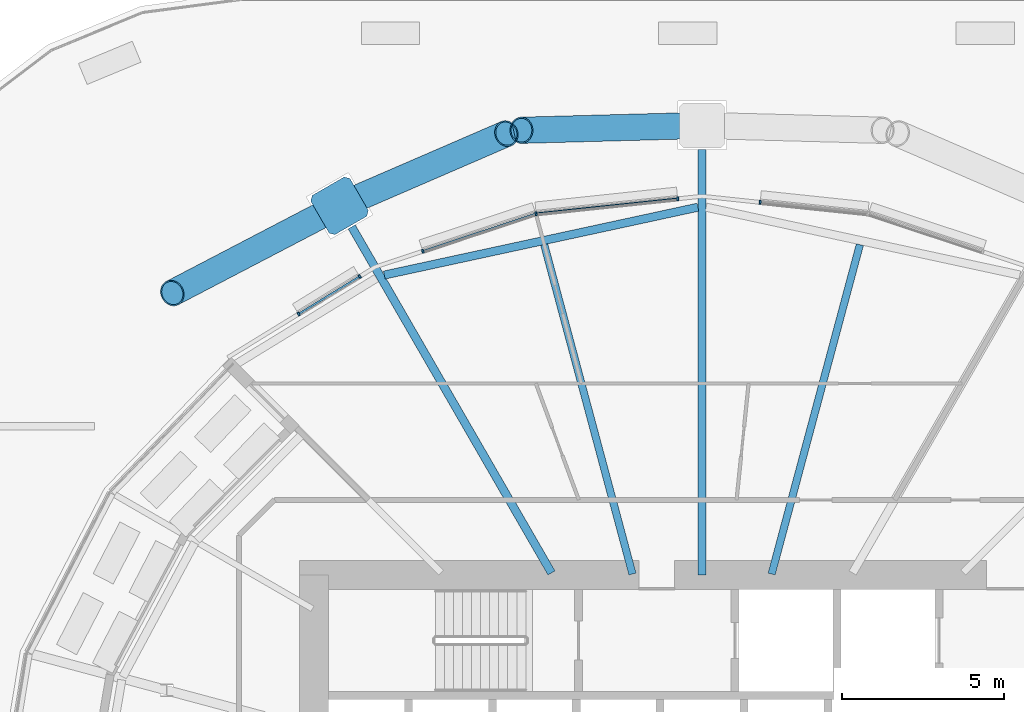
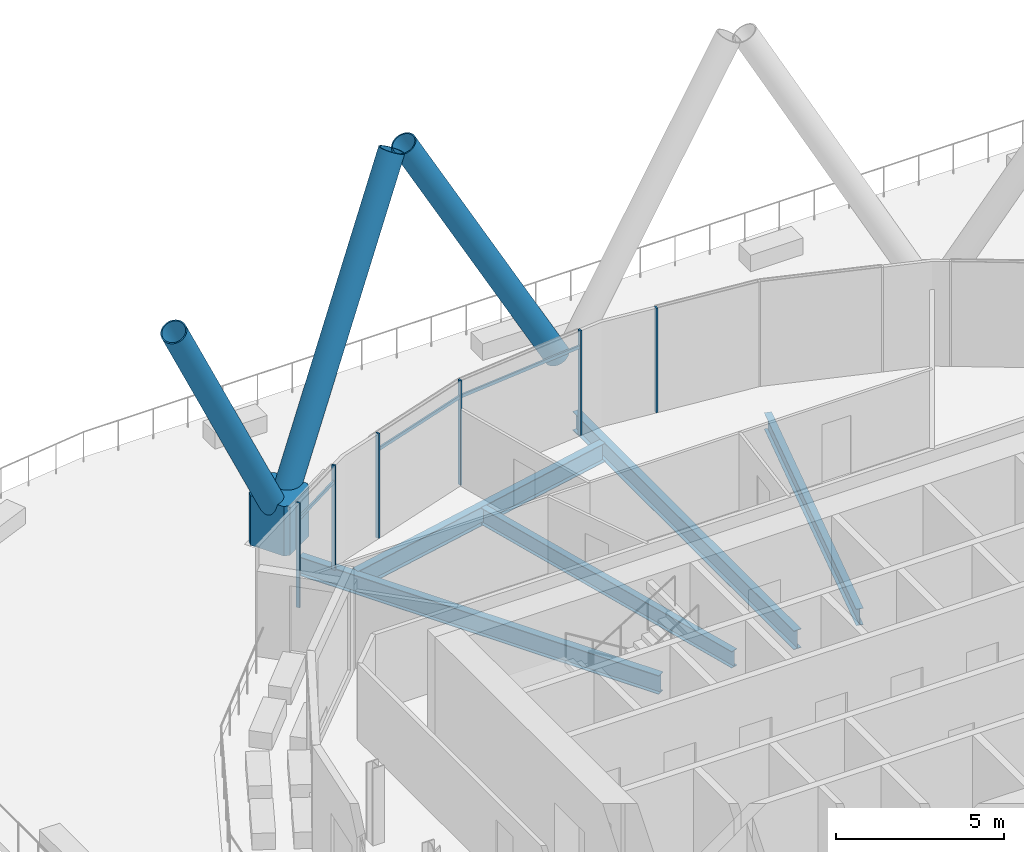
# One storey, part 10 of 47: 13 members, 5 beams, 1 element without a shape of its own.
"""IFC4 building model written with IfcOpenShell, lengths in metres."""

from ifc_helpers import new_model, si_unit, direction, frame, origin, origin_2d, place, context, subcontext, project, spatial, polyline, rectangle, hollow_circle, i_section, outline, extrude, material, material_profile, profile_set, type_object, element, aggregate, save


model = new_model("IFC4")

# Units and contexts
model_context = context("Model", 3, precision=1e-05, world=origin(), true_north=direction((0.0, 1.0)))
body_context = subcontext(model_context, "Body", "Model", "MODEL_VIEW")
ifc_project = project(units=[si_unit("LENGTHUNIT", "METRE"), si_unit("AREAUNIT", "SQUARE_METRE"), si_unit("VOLUMEUNIT", "CUBIC_METRE"), si_unit("PLANEANGLEUNIT", "RADIAN"), si_unit("MASSUNIT", "GRAM", prefix="KILO")], contexts=[model_context])

# Site, building, storey
site_placement = place(None, origin())
site = spatial("IfcSite", under=ifc_project, at=site_placement, CompositionType="ELEMENT")
building_placement = place(site_placement, origin())
building = spatial("IfcBuilding", under=site, at=building_placement, Name="Rimbun Link Towers", CompositionType="ELEMENT")
storey_placement = place(building_placement, frame((0.0, 0.0, 30.0)))
storey = spatial("IfcBuildingStorey", under=building, at=storey_placement, Name="L06", CompositionType="ELEMENT", Elevation=30.0)

# Curtain wall, members
ifc_material_1 = material(Name="Aluminium 6063-T6 and low-iron glass", Category="aluminium")
curtain_wall_type = type_object("IfcCurtainWallType", Name="CW1 unitised vision wall", PredefinedType="NOTDEFINED", material=ifc_material_1)
curtain_wall_placement = place(storey_placement, origin())
curtain_wall = element("IfcCurtainWall", 1, at=curtain_wall_placement, inside=storey, type_object=curtain_wall_type, Name="CW1 L06 T1", PredefinedType="NOTDEFINED")
ifc_material_2 = material(Name="Aluminium 6063-T6", Category="aluminium")
ifc_material_profile_1 = material_profile(ifc_material_2, rectangle(XDim=0.1201171875, YDim=0.06005859375, at=origin_2d()), Name="MULLION 60X120")
ifc_profile_set_1 = profile_set([ifc_material_profile_1], Name="Aluminium 6063-T6")
member_type_1 = type_object("IfcMemberType", Name="CW1 mullion 60X120", PredefinedType="MULLION", material=ifc_profile_set_1)
member_1_placement = place(storey_placement, frame((-29.95361328125, 19.525390625, 0.0), z_axis=(0.0, 0.0, 1.0), x_axis=(0.104754525743, 0.994498109267, 0.0)))
member_1 = element("IfcMember", 2, at=member_1_placement, type_object=member_type_1, Name="CW1 mullion", PredefinedType="MULLION", context=body_context, shape_type="SweptSolid", body=[
    extrude(rectangle(XDim=0.1201171875, YDim=0.06005859375, at=origin_2d()), origin(), (0.0, 0.0, 1.0), 3.800048828125),
])
member_2_placement = place(storey_placement, frame((-36.884521484375, 19.17333984375, 0.0), z_axis=(0.0, 0.0, 1.0), x_axis=(-0.210876994137, 0.97751260521, 0.0)))
member_2 = element("IfcMember", 3, at=member_2_placement, type_object=member_type_1, Name="CW1 mullion", PredefinedType="MULLION", context=body_context, shape_type="SweptSolid", body=[
    extrude(rectangle(XDim=0.1201171875, YDim=0.06005859375, at=origin_2d()), origin(), (0.0, 0.0, 1.0), 3.800048828125),
])
member_3_placement = place(storey_placement, frame((-32.502197265625, 19.63525390625, 0.0), z_axis=(0.0, 0.0, 1.0), x_axis=(-0.104754525743, 0.994498109267, 0.0)))
member_3 = element("IfcMember", 4, at=member_3_placement, type_object=member_type_1, Name="CW1 mullion", PredefinedType="MULLION", context=body_context, shape_type="SweptSolid", body=[
    extrude(rectangle(XDim=0.1201171875, YDim=0.06005859375, at=origin_2d()), origin(), (0.0, 0.0, 1.0), 3.800048828125),
])
member_4_placement = place(storey_placement, frame((-40.383544921875, 18.01416015625, 0.0), z_axis=(0.0, 0.0, 1.0), x_axis=(-0.314563730837, 0.949236355837, 0.0)))
member_4 = element("IfcMember", 5, at=member_4_placement, type_object=member_type_1, Name="CW1 mullion", PredefinedType="MULLION", context=body_context, shape_type="SweptSolid", body=[
    extrude(rectangle(XDim=0.1201171875, YDim=0.06005859375, at=origin_2d()), origin(), (0.0, 0.0, 1.0), 3.800048828125),
])
member_5_placement = place(storey_placement, frame((-44.2265625, 16.072265625, 0.0), z_axis=(0.0, 0.0, 1.0), x_axis=(-0.523232417417, 0.85219002421, 0.0)))
member_5 = element("IfcMember", 6, at=member_5_placement, type_object=member_type_1, Name="CW1 mullion", PredefinedType="MULLION", context=body_context, shape_type="SweptSolid", body=[
    extrude(rectangle(XDim=0.1201171875, YDim=0.06005859375, at=origin_2d()), origin(), (0.0, 0.0, 1.0), 3.800048828125),
])
member_6_placement = place(storey_placement, frame((-42.336181640625, 17.23291015625, 0.0), z_axis=(0.0, 0.0, 1.0), x_axis=(-0.523232417417, 0.85219002421, 0.0)))
member_6 = element("IfcMember", 7, at=member_6_placement, type_object=member_type_1, Name="CW1 mullion", PredefinedType="MULLION", context=body_context, shape_type="SweptSolid", body=[
    extrude(rectangle(XDim=0.1201171875, YDim=0.06005859375, at=origin_2d()), origin(), (0.0, 0.0, 1.0), 3.800048828125),
])
ifc_material_3 = material(Name="Aluminium 6063-T6", Category="aluminium")
ifc_material_profile_2 = material_profile(ifc_material_3, rectangle(XDim=0.06005859375, YDim=0.1201171875, at=origin_2d()), Name="TRANSOM 60X120")
ifc_profile_set_2 = profile_set([ifc_material_profile_2], Name="Aluminium 6063-T6")
member_type_2 = type_object("IfcMemberType", Name="CW1 transom 60X120", PredefinedType="USERDEFINED", material=ifc_profile_set_2)
member_7_placement = place(storey_placement, frame((-36.84814453125, 19.175537109375, 3.199951171875), z_axis=(0.99449990358, 0.104737489845, 0.0), x_axis=(-0.104737489845, 0.99449990358, 0.0)))
member_7 = element("IfcMember", 8, at=member_7_placement, type_object=member_type_2, Name="CW1 transom", ObjectType="TRANSOM", PredefinedType="USERDEFINED", context=body_context, shape_type="SweptSolid", body=[
    extrude(rectangle(XDim=0.06005859375, YDim=0.1201171875, at=origin_2d()), origin(), (0.0, 0.0, 1.0), 4.34033203125),
])
member_8_placement = place(storey_placement, frame((-40.3544921875, 18.021728515625, 3.199951171875), z_axis=(0.949234904312, 0.314568110964, 0.0), x_axis=(-0.314568110964, 0.949234904312, 0.0)))
member_8 = element("IfcMember", 9, at=member_8_placement, type_object=member_type_2, Name="CW1 transom", ObjectType="TRANSOM", PredefinedType="USERDEFINED", context=body_context, shape_type="SweptSolid", body=[
    extrude(rectangle(XDim=0.06005859375, YDim=0.1201171875, at=origin_2d()), origin(), (0.0, 0.0, 1.0), 3.619873046875),
])
member_9_placement = place(storey_placement, frame((-44.199951171875, 16.08642578125, 3.199951171875), z_axis=(0.852228740187, 0.523169355371, 0.0), x_axis=(-0.523169355371, 0.852228740187, 0.0)))
member_9 = element("IfcMember", 10, at=member_9_placement, type_object=member_type_2, Name="CW1 transom", ObjectType="TRANSOM", PredefinedType="USERDEFINED", context=body_context, shape_type="SweptSolid", body=[
    extrude(rectangle(XDim=0.06005859375, YDim=0.1201171875, at=origin_2d()), origin(), (0.0, 0.0, 1.0), 2.158203125),
])
aggregate(curtain_wall, [member_1, member_2, member_3, member_4, member_5, member_6, member_7, member_8, member_9])

# Members
ifc_material_4 = material(Name="Steel S460NH", Category="steel")
ifc_material_profile_3 = material_profile(ifc_material_4, hollow_circle(Radius=0.406494140625, WallThickness=0.0400390625, at=origin_2d()), Name="Diagrid diagonal CHS 813x40")
ifc_profile_set_3 = profile_set([ifc_material_profile_3], Name="Steel S460NH")
member_type_3 = type_object("IfcMemberType", Name="Diagrid diagonal CHS 813x40", PredefinedType="BRACE", material=ifc_profile_set_3)
member_10_placement = place(storey_placement, frame((-31.99267578125, 21.897705078125, 1.337158203125), z_axis=(-0.485213743041, -0.01303896901, 0.87429835231), x_axis=(0.026862931598, -0.999639126338, 0.0)))
element("IfcMember", 11, at=member_10_placement, inside=storey, type_object=member_type_3, Name="Diagrid diagonal T1 L06-L09 06b", PredefinedType="BRACE", context=body_context, shape_type="SweptSolid", body=[
    extrude(hollow_circle(Radius=0.406494140625, WallThickness=0.0400390625, at=origin_2d()), origin(), (0.0, 0.0, 1.0), 11.009765625),
])
member_11_placement = place(storey_placement, frame((-42.7373046875, 19.514892578125, 1.33642578125), z_axis=(0.447630338093, 0.193694931894, 0.872988747795), x_axis=(-0.397127145688, 0.917763602546, 0.0)))
element("IfcMember", 12, at=member_11_placement, inside=storey, type_object=member_type_3, Name="Diagrid diagonal T1 L06-L09 08a", PredefinedType="BRACE", context=body_context, shape_type="SweptSolid", body=[
    extrude(hollow_circle(Radius=0.406494140625, WallThickness=0.0400390625, at=origin_2d()), origin(), (0.0, 0.0, 1.0), 11.027587890625),
])
member_12_placement = place(storey_placement, frame((-43.183349609375, 19.30224609375, 1.33251953125), z_axis=(-0.444435052233, -0.231886784036, 0.865277992171), x_axis=(0.462577964865, -0.886578607018, 0.0)))
element("IfcMember", 13, at=member_12_placement, inside=storey, type_object=member_type_3, Name="Diagrid diagonal T1 L06-L09 08b", PredefinedType="BRACE", context=body_context, shape_type="SweptSolid", body=[
    extrude(hollow_circle(Radius=0.406494140625, WallThickness=0.0400390625, at=origin_2d()), origin(), (0.0, 0.0, 1.0), 11.134765625),
])
ifc_material_5 = material(Name="Cast steel G20Mn5+QT, Rp0.2 300 MPa", Category="steel")
ifc_material_profile_4 = material_profile(ifc_material_5, outline(polyline([(0.699951171875, -0.570068359375), (0.699951171875, 0.570068359375), (0.570068359375, 0.699951171875), (-0.570068359375, 0.699951171875), (-0.699951171875, 0.570068359375), (-0.699951171875, -0.570068359375), (-0.570068359375, -0.699951171875), (0.570068359375, -0.699951171875), (0.699951171875, -0.570068359375)])), Name="NODE 1400x1400")
ifc_profile_set_4 = profile_set([ifc_material_profile_4], Name="Cast steel G20Mn5+QT, Rp0.2 300 MPa")
member_type_4 = type_object("IfcMemberType", Name="Diagrid node cast 1400", PredefinedType="USERDEFINED", material=ifc_profile_set_4)
member_13_placement = place(storey_placement, frame((-42.961181640625, 19.418212890625, 0.0), z_axis=(0.0, 0.0, 1.0), x_axis=(-0.5, 0.866025403784, 0.0)))
element("IfcMember", 14, at=member_13_placement, inside=storey, type_object=member_type_4, Name="Diagrid node L06 08", ObjectType="Diagrid node", PredefinedType="USERDEFINED", context=body_context, shape_type="SweptSolid", body=[
    extrude(outline(polyline([(0.699951171875, -0.570068359375), (0.699951171875, 0.570068359375), (0.570068359375, 0.699951171875), (-0.570068359375, 0.699951171875), (-0.699951171875, 0.570068359375), (-0.699951171875, -0.570068359375), (-0.570068359375, -0.699951171875), (0.570068359375, -0.699951171875), (0.699951171875, -0.570068359375)])), origin(), (0.0, 0.0, 1.0), 1.800048828125),
])

# Beams
ifc_material_6 = material(Name="Steel S355J2", Category="steel")
ifc_material_profile_5 = material_profile(ifc_material_6, i_section(OverallWidth=0.2275390625, OverallDepth=0.6025390625, WebThickness=0.010498046875, FlangeThickness=0.014892578125, at=origin_2d()), Name="UB 610x229x101")
ifc_profile_set_5 = profile_set([ifc_material_profile_5], Name="Steel S355J2")
beam_type_1 = type_object("IfcBeamType", Name="UB 610x229x101", PredefinedType="BEAM", material=ifc_profile_set_5)
for number, where, z_axis, x_axis, name in (
    (15, (-29.598388671875, 8.030517578125, -0.601318359375), (0.258844096103, 0.965919113545, 0.0), (-0.965919113545, 0.258844096103, 0.0), "Radial beam T1 L06 05"),
    (16, (-33.901611328125, 8.030517578125, -0.601318359375), (-0.258844096103, 0.965919113545, 0.0), (-0.965919113545, -0.258844096103, 0.0), "Radial beam T1 L06 07"),
):
    element("IfcBeam", number, at=place(storey_placement, frame(where, z_axis=z_axis, x_axis=x_axis)), inside=storey, type_object=beam_type_1, Name=name, PredefinedType="BEAM", context=body_context, shape_type="SweptSolid", body=[
        extrude(i_section(OverallWidth=0.2275390625, OverallDepth=0.6025390625, WebThickness=0.010498046875, FlangeThickness=0.014892578125, at=origin_2d()), origin(), (0.0, 0.0, 1.0), 10.544921875),
    ])
ifc_material_7 = material(Name="Steel S355J2", Category="steel")
ifc_material_profile_6 = material_profile(ifc_material_7, i_section(OverallWidth=0.253662109375, OverallDepth=0.68359375, WebThickness=0.012451171875, FlangeThickness=0.01904296875, at=origin_2d()), Name="UB 686x254x140")
ifc_profile_set_6 = profile_set([ifc_material_profile_6], Name="Steel S355J2")
beam_type_2 = type_object("IfcBeamType", Name="UB 686x254x140", PredefinedType="BEAM", material=ifc_profile_set_6)
beam_1_placement = place(storey_placement, frame((-31.75, 8.0009765625, -0.641845703125), z_axis=(0.0, 1.0, 0.0), x_axis=(-1.0, 0.0, 0.0)))
element("IfcBeam", 17, at=beam_1_placement, inside=storey, type_object=beam_type_2, Name="Radial beam T1 L06 06", PredefinedType="BEAM", context=body_context, shape_type="SweptSolid", body=[
    extrude(i_section(OverallWidth=0.253662109375, OverallDepth=0.68359375, WebThickness=0.012451171875, FlangeThickness=0.01904296875, at=origin_2d()), origin(), (0.0, 0.0, 1.0), 13.1533203125),
])
beam_2_placement = place(storey_placement, frame((-36.406005859375, 8.064208984375, -0.641845703125), z_axis=(-0.499992594562, 0.866029679274, 0.0), x_axis=(-0.866029679274, -0.499992594562, 0.0)))
element("IfcBeam", 18, at=beam_2_placement, inside=storey, type_object=beam_type_2, Name="Radial beam T1 L06 08", PredefinedType="BEAM", context=body_context, shape_type="SweptSolid", body=[
    extrude(i_section(OverallWidth=0.253662109375, OverallDepth=0.68359375, WebThickness=0.012451171875, FlangeThickness=0.01904296875, at=origin_2d()), origin(), (0.0, 0.0, 1.0), 12.360595703125),
])
beam_3_placement = place(storey_placement, frame((-31.877685546875, 19.375244140625, -0.641845703125), z_axis=(-0.977390124833, -0.211443949734, 0.0), x_axis=(0.211443949734, -0.977390124833, 0.0)))
element("IfcBeam", 19, at=beam_3_placement, inside=storey, type_object=beam_type_2, Name="Edge beam T1 L06 06-08", PredefinedType="BEAM", context=body_context, shape_type="SweptSolid", body=[
    extrude(i_section(OverallWidth=0.253662109375, OverallDepth=0.68359375, WebThickness=0.012451171875, FlangeThickness=0.01904296875, at=origin_2d()), origin(), (0.0, 0.0, 1.0), 9.924072265625),
])

save(model, "model.ifc")
